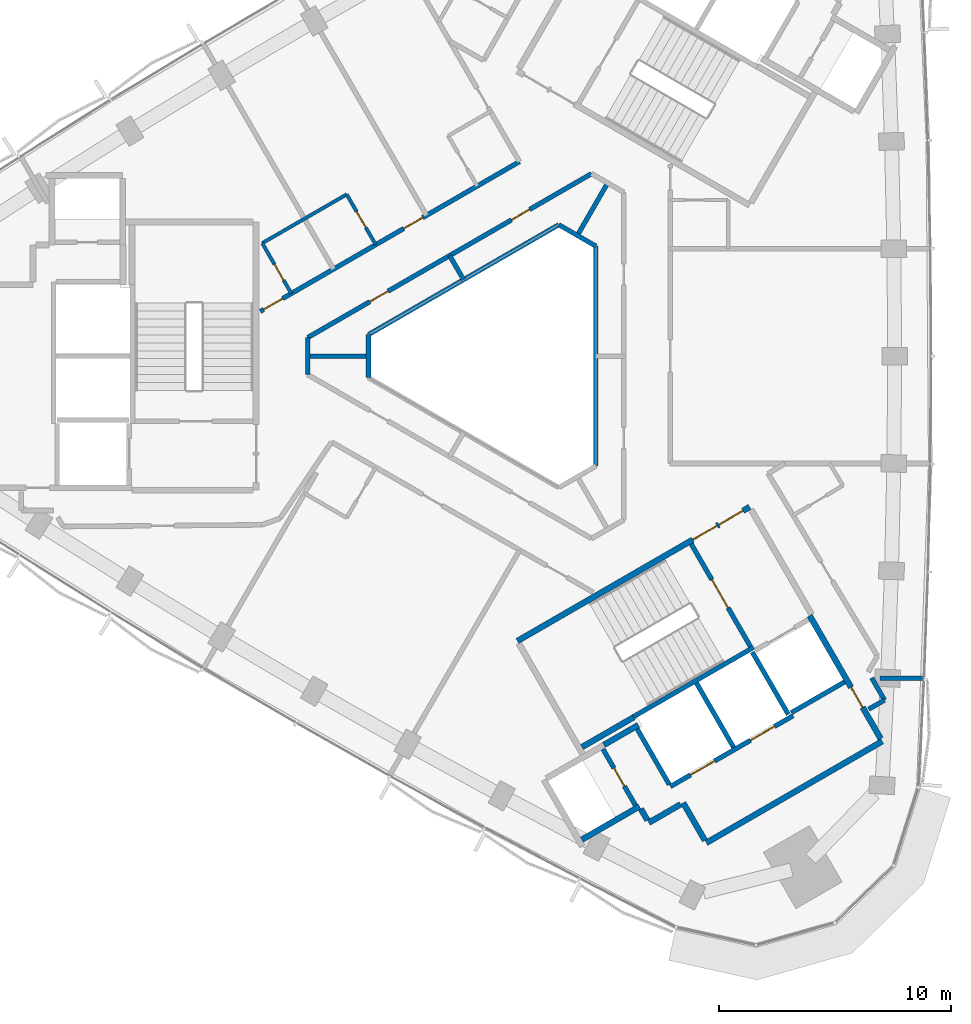
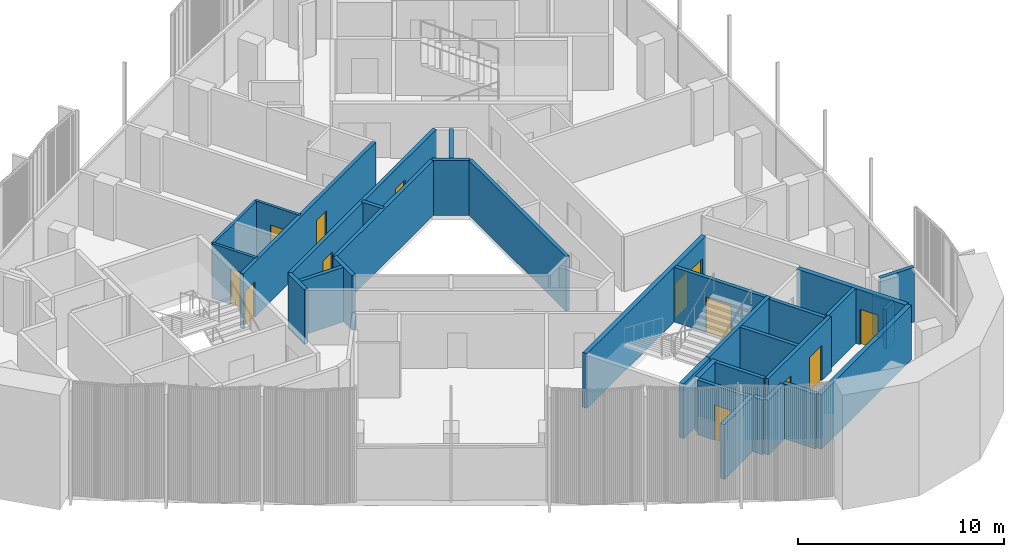
# One storey, part 9 of 14: 33 walls, 13 doors, 13 openings.
"""IFC4 building model written with IfcOpenShell, lengths in metres."""

from ifc_helpers import new_model, si_unit, direction, frame, frame_2d, origin, place, context, subcontext, project, spatial, rectangle, extrude, material, layer, layer_set, type_object, element, fill, save


model = new_model("IFC4")

# Units and contexts
model_context = context("Model", 3, precision=1e-05, world=origin(), true_north=direction((0.0, 1.0)))
body_context = subcontext(model_context, "Body", "Model", "MODEL_VIEW")
ifc_project = project(units=[si_unit("LENGTHUNIT", "METRE"), si_unit("AREAUNIT", "SQUARE_METRE"), si_unit("VOLUMEUNIT", "CUBIC_METRE"), si_unit("PLANEANGLEUNIT", "RADIAN"), si_unit("MASSUNIT", "GRAM", prefix="KILO")], contexts=[model_context])

# Site, building, storey
site_placement = place(None, origin())
site = spatial("IfcSite", under=ifc_project, at=site_placement, CompositionType="ELEMENT")
building_placement = place(site_placement, origin())
building = spatial("IfcBuilding", under=site, at=building_placement, Name="Tamra Quay Hotel Tower", CompositionType="ELEMENT")
storey_placement = place(building_placement, frame((0.0, 0.0, 250.199951171875)))
storey = spatial("IfcBuildingStorey", under=building, at=storey_placement, Name="L63", CompositionType="ELEMENT", Elevation=250.199951171875)

# Wall
ifc_material_1 = material(Name="Concrete M70", Category="concrete")
ifc_layer_1 = layer(ifc_material_1, 0.199951171875)
ifc_layer_set_1 = layer_set([ifc_layer_1], Name="Concrete M70 core wall 200")
wall_type_1 = type_object("IfcWallType", Name="Concrete M70 core wall 200", PredefinedType="SHEAR", material=ifc_layer_set_1)
wall_1_placement = place(storey_placement, frame((5.4189453125, -15.533935546875, 0.0), z_axis=(0.0, 0.0, 1.0), x_axis=(0.866029065029, 0.499993658486, 0.0)))
element("IfcWall", 1, at=wall_1_placement, inside=storey, type_object=wall_type_1, Name="CW2", PredefinedType="SHEAR", context=body_context, shape_type="SweptSolid", body=[
    extrude(rectangle(XDim=5.97412109375, YDim=0.199951171875, at=frame_2d((2.987060546875, 0.0))), origin(), (0.0, 0.0, 1.0), 3.25),
])

# Wall, openings, doors
wall_2_placement = place(storey_placement, frame((7.009765625, -18.54150390625, 0.0), z_axis=(0.0, 0.0, 1.0), x_axis=(0.866030299012, 0.499991521122, 0.0)))
wall_2 = element("IfcWall", 2, at=wall_2_placement, inside=storey, type_object=wall_type_1, Name="CW2", PredefinedType="SHEAR", context=body_context, shape_type="SweptSolid", body=[
    extrude(rectangle(XDim=6.10009765625, YDim=0.199951171875, at=frame_2d((3.050048828125, 0.0))), origin(), (0.0, 0.0, 1.0), 3.25),
])
opening_1_placement = place(wall_2_placement, frame((1.0, 0.0, 0.0)))
opening_1 = element("IfcOpeningElement", 3, at=opening_1_placement, cuts=wall_2, Name="Opening LD", PredefinedType="OPENING", context=body_context, shape_type="SweptSolid", body=[
    extrude(rectangle(XDim=1.199951171875, YDim=2.10009765625, at=frame_2d((0.60009765625, 1.050048828125))), frame((0.0, 0.10986328125, 0.0), z_axis=(0.0, -1.0, 0.0), x_axis=(1.0, 0.0, 0.0)), (0.0, 0.0, 1.0), 0.219970703125),
])
opening_2_placement = place(wall_2_placement, frame((3.982177734375, 0.0, 0.0)))
opening_2 = element("IfcOpeningElement", 4, at=opening_2_placement, cuts=wall_2, Name="Opening LD", PredefinedType="OPENING", context=body_context, shape_type="SweptSolid", body=[
    extrude(rectangle(XDim=1.199951171875, YDim=2.10009765625, at=frame_2d((0.60009765625, 1.050048828125))), frame((0.0, 0.10986328125, 0.0), z_axis=(0.0, -1.0, 0.0), x_axis=(1.0, 0.0, 0.0)), (0.0, 0.0, 1.0), 0.219970703125),
])
ifc_material_2 = material(Name="Landing door LD 1200 double door sliding")
door_type_1 = type_object("IfcDoorType", Name="Landing door LD 1200 double door sliding", OperationType="DOUBLE_DOOR_SLIDING", PredefinedType="DOOR", material=ifc_material_2)
door_1_placement = place(opening_1_placement, origin())
door_1 = element("IfcDoor", 5, at=door_1_placement, inside=storey, type_object=door_type_1, Name="LD", OperationType="DOUBLE_DOOR_SLIDING", OverallHeight=2.10009765625, OverallWidth=1.199951171875, PredefinedType="DOOR", context=body_context, shape_type="SweptSolid", body=[
    extrude(rectangle(XDim=1.199951171875, YDim=2.10009765625, at=frame_2d((0.60009765625, 1.050048828125))), frame((0.0, 0.02490234375, 0.0), z_axis=(0.0, -1.0, 0.0), x_axis=(1.0, 0.0, 0.0)), (0.0, 0.0, 1.0), 0.050048828125),
])
fill(opening_1, door_1)
door_2_placement = place(opening_2_placement, origin())
door_2 = element("IfcDoor", 6, at=door_2_placement, inside=storey, type_object=door_type_1, Name="LD", OperationType="DOUBLE_DOOR_SLIDING", OverallHeight=2.10009765625, OverallWidth=1.199951171875, PredefinedType="DOOR", context=body_context, shape_type="SweptSolid", body=[
    extrude(rectangle(XDim=1.199951171875, YDim=2.10009765625, at=frame_2d((0.60009765625, 1.050048828125))), frame((0.0, 0.02490234375, 0.0), z_axis=(0.0, -1.0, 0.0), x_axis=(1.0, 0.0, 0.0)), (0.0, 0.0, 1.0), 0.050048828125),
])
fill(opening_2, door_2)

# Wall, opening, door
wall_3_placement = place(storey_placement, frame((7.906494140625, -8.094482421875, 0.0), z_axis=(0.0, 0.0, 1.0), x_axis=(0.500027839223, -0.866009330205, 0.0)))
wall_3 = element("IfcWall", 7, at=wall_3_placement, inside=storey, type_object=wall_type_1, Name="CW2", PredefinedType="SHEAR", context=body_context, shape_type="SweptSolid", body=[
    extrude(rectangle(XDim=5.097900390625, YDim=0.199951171875, at=frame_2d((2.548828125, 0.0))), origin(), (0.0, 0.0, 1.0), 3.25),
])
opening_3_placement = place(wall_3_placement, frame((1.77392578125, 0.0, 0.0)))
opening_3 = element("IfcOpeningElement", 8, at=opening_3_placement, cuts=wall_3, Name="Opening FD2", PredefinedType="OPENING", context=body_context, shape_type="SweptSolid", body=[
    extrude(rectangle(XDim=1.39990234375, YDim=2.10009765625, at=frame_2d((0.699951171875, 1.050048828125))), frame((0.0, 0.10986328125, 0.0), z_axis=(0.0, -1.0, 0.0), x_axis=(1.0, 0.0, 0.0)), (0.0, 0.0, 1.0), 0.219970703125),
])
ifc_material_3 = material(Name="Core door FD2 1400x2100 LH")
door_type_2 = type_object("IfcDoorType", Name="Core door FD2 1400x2100 LH", OperationType="NOTDEFINED", PredefinedType="DOOR", material=ifc_material_3)
door_3_placement = place(opening_3_placement, origin())
door_3 = element("IfcDoor", 9, at=door_3_placement, inside=storey, type_object=door_type_2, Name="FD2", OperationType="SINGLE_SWING_LEFT", OverallHeight=2.10009765625, OverallWidth=1.39990234375, PredefinedType="DOOR", context=body_context, shape_type="SweptSolid", body=[
    extrude(rectangle(XDim=1.39990234375, YDim=2.10009765625, at=frame_2d((0.699951171875, 1.050048828125))), frame((0.0, 0.02490234375, 0.0), z_axis=(0.0, -1.0, 0.0), x_axis=(1.0, 0.0, 0.0)), (0.0, 0.0, 1.0), 0.050048828125),
])
fill(opening_3, door_3)

# Wall
wall_4_placement = place(storey_placement, frame((8.131591796875, -14.084228515625, 0.0), z_axis=(0.0, 0.0, 1.0), x_axis=(0.499997778408, -0.866026686418, 0.0)))
element("IfcWall", 10, at=wall_4_placement, inside=storey, type_object=wall_type_1, Name="CW2", PredefinedType="SHEAR", context=body_context, shape_type="SweptSolid", body=[
    extrude(rectangle(XDim=3.1982421875, YDim=0.199951171875, at=frame_2d((1.59912109375, 0.0))), origin(), (0.0, 0.0, 1.0), 3.25),
])

# Wall, opening, door
wall_5_placement = place(storey_placement, frame((5.50341796875, -19.352294921875, 0.0), z_axis=(0.0, 0.0, 1.0), x_axis=(-0.499986818241, 0.866033014143, 0.0)))
wall_5 = element("IfcWall", 11, at=wall_5_placement, inside=storey, type_object=wall_type_1, Name="CW2", PredefinedType="SHEAR", context=body_context, shape_type="SweptSolid", body=[
    extrude(rectangle(XDim=2.7978515625, YDim=0.199951171875, at=frame_2d((1.39892578125, 0.0))), origin(), (0.0, 0.0, 1.0), 3.25),
])
opening_4_placement = place(wall_5_placement, frame((0.948974609375, 0.0, 0.0)))
opening_4 = element("IfcOpeningElement", 12, at=opening_4_placement, cuts=wall_5, Name="Opening D1", PredefinedType="OPENING", context=body_context, shape_type="SweptSolid", body=[
    extrude(rectangle(XDim=0.89990234375, YDim=2.10009765625, at=frame_2d((0.449951171875, 1.050048828125))), frame((0.0, 0.10986328125, 0.0), z_axis=(0.0, -1.0, 0.0), x_axis=(1.0, 0.0, 0.0)), (0.0, 0.0, 1.0), 0.219970703125),
])
ifc_material_4 = material(Name="Core door D1 900x2100 RH")
door_type_3 = type_object("IfcDoorType", Name="Core door D1 900x2100 RH", OperationType="NOTDEFINED", PredefinedType="DOOR", material=ifc_material_4)
door_4_placement = place(opening_4_placement, origin())
door_4 = element("IfcDoor", 13, at=door_4_placement, inside=storey, type_object=door_type_3, Name="D1", OperationType="SINGLE_SWING_RIGHT", OverallHeight=2.10009765625, OverallWidth=0.89990234375, PredefinedType="DOOR", context=body_context, shape_type="SweptSolid", body=[
    extrude(rectangle(XDim=0.89990234375, YDim=2.10009765625, at=frame_2d((0.449951171875, 1.050048828125))), frame((0.0, 0.02490234375, 0.0), z_axis=(0.0, -1.0, 0.0), x_axis=(1.0, 0.0, 0.0)), (0.0, 0.0, 1.0), 0.050048828125),
])
fill(opening_4, door_4)

# Walls
wall_6_placement = place(storey_placement, frame((6.959716796875, -18.455078125, 0.0), z_axis=(0.0, 0.0, 1.0), x_axis=(-0.499926705758, 0.866067716099, 0.0)))
element("IfcWall", 14, at=wall_6_placement, inside=storey, type_object=wall_type_1, Name="CW2", PredefinedType="SHEAR", context=body_context, shape_type="SweptSolid", body=[
    extrude(rectangle(XDim=2.75927734375, YDim=0.199951171875, at=frame_2d((1.379638671875, 0.0))), origin(), (0.0, 0.0, 1.0), 3.25),
])
wall_7_placement = place(storey_placement, frame((12.087646484375, -15.4365234375, 0.0), z_axis=(0.0, 0.0, 1.0), x_axis=(-0.500026960575, 0.86600983753, 0.0)))
element("IfcWall", 15, at=wall_7_placement, inside=storey, type_object=wall_type_1, Name="CW2", PredefinedType="SHEAR", context=body_context, shape_type="SweptSolid", body=[
    extrude(rectangle(XDim=3.099853515625, YDim=0.199951171875, at=frame_2d((1.5498046875, 0.0))), origin(), (0.0, 0.0, 1.0), 3.25),
])
wall_8_placement = place(storey_placement, frame((14.51171875, -14.037109375, 0.0), z_axis=(0.0, 0.0, 1.0), x_axis=(-0.866018407898, -0.500012117035, 0.0)))
element("IfcWall", 16, at=wall_8_placement, inside=storey, type_object=wall_type_1, Name="CW2", PredefinedType="SHEAR", context=body_context, shape_type="SweptSolid", body=[
    extrude(rectangle(XDim=2.65087890625, YDim=0.199951171875, at=frame_2d((1.325439453125, 0.0))), origin(), (0.0, 0.0, 1.0), 3.25),
])

# Wall, openings, doors
ifc_layer_2 = layer(ifc_material_1, 0.25)
ifc_layer_set_2 = layer_set([ifc_layer_2], Name="Concrete M70 core wall 250")
wall_type_2 = type_object("IfcWallType", Name="Concrete M70 core wall 250", PredefinedType="SHEAR", material=ifc_layer_set_2)
wall_9_placement = place(storey_placement, frame((0.417236328125, -12.27294921875, 0.0), z_axis=(0.0, 0.0, 1.0), x_axis=(0.866021906294, 0.500006057782, 0.0)))
wall_9 = element("IfcWall", 17, at=wall_9_placement, inside=storey, type_object=wall_type_2, Name="CW1", PredefinedType="SHEAR", context=body_context, shape_type="SweptSolid", body=[
    extrude(rectangle(XDim=11.550048828125, YDim=0.25, at=frame_2d((5.77490234375, 0.0))), origin(), (0.0, 0.0, 1.0), 3.25),
])
opening_5_placement = place(wall_9_placement, frame((10.024658203125, 0.0, 0.0)))
opening_5 = element("IfcOpeningElement", 18, at=opening_5_placement, cuts=wall_9, Name="Opening FD1", PredefinedType="OPENING", context=body_context, shape_type="SweptSolid", body=[
    extrude(rectangle(XDim=1.199951171875, YDim=2.10009765625, at=frame_2d((0.60009765625, 1.050048828125))), frame((0.0, 0.135009765625, 0.0), z_axis=(0.0, -1.0, 0.0), x_axis=(1.0, 0.0, 0.0)), (0.0, 0.0, 1.0), 0.27001953125),
])
opening_6_placement = place(wall_9_placement, frame((8.724609375, 0.0, 0.0)))
opening_6 = element("IfcOpeningElement", 19, at=opening_6_placement, cuts=wall_9, Name="Opening FD1", PredefinedType="OPENING", context=body_context, shape_type="SweptSolid", body=[
    extrude(rectangle(XDim=1.199951171875, YDim=2.10009765625, at=frame_2d((0.60009765625, 1.050048828125))), frame((0.0, 0.135009765625, 0.0), z_axis=(0.0, -1.0, 0.0), x_axis=(1.0, 0.0, 0.0)), (0.0, 0.0, 1.0), 0.27001953125),
])
ifc_material_5 = material(Name="Core door FD1 1200x2100 LH")
door_type_4 = type_object("IfcDoorType", Name="Core door FD1 1200x2100 LH", OperationType="NOTDEFINED", PredefinedType="DOOR", material=ifc_material_5)
door_5_placement = place(opening_5_placement, origin())
door_5 = element("IfcDoor", 20, at=door_5_placement, inside=storey, type_object=door_type_4, Name="FD1", OperationType="SINGLE_SWING_LEFT", OverallHeight=2.10009765625, OverallWidth=1.199951171875, PredefinedType="DOOR", context=body_context, shape_type="SweptSolid", body=[
    extrude(rectangle(XDim=1.199951171875, YDim=2.10009765625, at=frame_2d((0.60009765625, 1.050048828125))), frame((0.0, 0.02490234375, 0.0), z_axis=(0.0, -1.0, 0.0), x_axis=(1.0, 0.0, 0.0)), (0.0, 0.0, 1.0), 0.050048828125),
])
fill(opening_5, door_5)
ifc_material_6 = material(Name="Core door FD1 1200x2100 RH")
door_type_5 = type_object("IfcDoorType", Name="Core door FD1 1200x2100 RH", OperationType="NOTDEFINED", PredefinedType="DOOR", material=ifc_material_6)
door_6_placement = place(opening_6_placement, origin())
door_6 = element("IfcDoor", 21, at=door_6_placement, inside=storey, type_object=door_type_5, Name="FD1", OperationType="SINGLE_SWING_RIGHT", OverallHeight=2.10009765625, OverallWidth=1.199951171875, PredefinedType="DOOR", context=body_context, shape_type="SweptSolid", body=[
    extrude(rectangle(XDim=1.199951171875, YDim=2.10009765625, at=frame_2d((0.60009765625, 1.050048828125))), frame((0.0, 0.02490234375, 0.0), z_axis=(0.0, -1.0, 0.0), x_axis=(1.0, 0.0, 0.0)), (0.0, 0.0, 1.0), 0.050048828125),
])
fill(opening_6, door_6)

# Wall
wall_10_placement = place(storey_placement, frame((16.13330078125, -16.59375, 0.0), z_axis=(0.0, 0.0, 1.0), x_axis=(-0.866022959057, -0.500004234368, 0.0)))
element("IfcWall", 22, at=wall_10_placement, inside=storey, type_object=wall_type_2, Name="CW1", PredefinedType="SHEAR", context=body_context, shape_type="SweptSolid", body=[
    extrude(rectangle(XDim=8.75, YDim=0.25, at=frame_2d((4.375, 0.0))), origin(), (0.0, 0.0, 1.0), 3.25),
])

# Wall, opening, door
wall_11_placement = place(storey_placement, frame((13.00830078125, -11.18115234375, 0.0), z_axis=(0.0, 0.0, 1.0), x_axis=(0.500001955336, -0.866024274868, 0.0)))
wall_11 = element("IfcWall", 23, at=wall_11_placement, inside=storey, type_object=wall_type_2, Name="CW1", PredefinedType="SHEAR", context=body_context, shape_type="SweptSolid", body=[
    extrude(rectangle(XDim=6.12451171875, YDim=0.25, at=frame_2d((3.062255859375, 0.0))), origin(), (0.0, 0.0, 1.0), 3.25),
])
opening_7_placement = place(wall_11_placement, frame((3.562744140625, 0.0, 0.0)))
opening_7 = element("IfcOpeningElement", 24, at=opening_7_placement, cuts=wall_11, Name="Opening FD3", PredefinedType="OPENING", context=body_context, shape_type="SweptSolid", body=[
    extrude(rectangle(XDim=1.0, YDim=2.10009765625, at=frame_2d((0.5, 1.050048828125))), frame((0.0, 0.135009765625, 0.0), z_axis=(0.0, -1.0, 0.0), x_axis=(1.0, 0.0, 0.0)), (0.0, 0.0, 1.0), 0.27001953125),
])
ifc_material_7 = material(Name="Core door FD3 1000x2100 LH")
door_type_6 = type_object("IfcDoorType", Name="Core door FD3 1000x2100 LH", OperationType="NOTDEFINED", PredefinedType="DOOR", material=ifc_material_7)
door_7_placement = place(opening_7_placement, origin())
door_7 = element("IfcDoor", 25, at=door_7_placement, inside=storey, type_object=door_type_6, Name="FD3", OperationType="SINGLE_SWING_LEFT", OverallHeight=2.10009765625, OverallWidth=1.0, PredefinedType="DOOR", context=body_context, shape_type="SweptSolid", body=[
    extrude(rectangle(XDim=1.0, YDim=2.10009765625, at=frame_2d((0.5, 1.050048828125))), frame((0.0, 0.02490234375, 0.0), z_axis=(0.0, -1.0, 0.0), x_axis=(1.0, 0.0, 0.0)), (0.0, 0.0, 1.0), 0.050048828125),
])
fill(opening_7, door_7)

# Walls
wall_12_placement = place(storey_placement, frame((5.6748046875, -19.39892578125, 0.0), z_axis=(0.0, 0.0, 1.0), x_axis=(-0.866026637627, -0.499997862916, 0.0)))
element("IfcWall", 26, at=wall_12_placement, inside=storey, type_object=wall_type_2, Name="CW1", PredefinedType="SHEAR", context=body_context, shape_type="SweptSolid", body=[
    extrude(rectangle(XDim=2.86474609375, YDim=0.25, at=frame_2d((1.432373046875, 0.0))), origin(), (0.0, 0.0, 1.0), 3.25),
])
wall_13_placement = place(storey_placement, frame((5.4306640625, -15.55615234375, 0.0), z_axis=(0.0, 0.0, 1.0), x_axis=(-0.866022940537, -0.500004266446, 0.0)))
element("IfcWall", 27, at=wall_13_placement, inside=storey, type_object=wall_type_2, Name="CW1", PredefinedType="SHEAR", context=body_context, shape_type="SweptSolid", body=[
    extrude(rectangle(XDim=2.57470703125, YDim=0.25, at=frame_2d((1.287353515625, 0.0))), origin(), (0.0, 0.0, 1.0), 3.25),
])
wall_14_placement = place(storey_placement, frame((8.492919921875, -20.860107421875, 0.0), z_axis=(0.0, 0.0, 1.0), x_axis=(-0.500039802285, 0.866002422705, 0.0)))
element("IfcWall", 28, at=wall_14_placement, inside=storey, type_object=wall_type_2, Name="CW1", PredefinedType="SHEAR", context=body_context, shape_type="SweptSolid", body=[
    extrude(rectangle(XDim=1.864501953125, YDim=0.25, at=frame_2d((0.93212890625, 0.0))), origin(), (0.0, 0.0, 1.0), 3.25),
])
wall_15_placement = place(storey_placement, frame((4.144775390625, -16.748779296875, 0.0), z_axis=(0.0, 0.0, 1.0), x_axis=(0.866038183914, 0.499977863513, 0.0)))
element("IfcWall", 29, at=wall_15_placement, inside=storey, type_object=wall_type_2, Name="CW1", PredefinedType="SHEAR", context=body_context, shape_type="SweptSolid", body=[
    extrude(rectangle(XDim=1.7099609375, YDim=0.25, at=frame_2d((0.85498046875, 0.0))), origin(), (0.0, 0.0, 1.0), 3.25),
])
wall_16_placement = place(storey_placement, frame((7.451904296875, -19.30810546875, 0.0), z_axis=(0.0, 0.0, 1.0), x_axis=(-0.866044474677, -0.49996696679, 0.0)))
element("IfcWall", 30, at=wall_16_placement, inside=storey, type_object=wall_type_2, Name="CW1", PredefinedType="SHEAR", context=body_context, shape_type="SweptSolid", body=[
    extrude(rectangle(XDim=1.58447265625, YDim=0.25, at=frame_2d((0.792236328125, 0.0))), origin(), (0.0, 0.0, 1.0), 3.25),
])
wall_17_placement = place(storey_placement, frame((6.01708984375, -19.99169921875, 0.0), z_axis=(0.0, 0.0, 1.0), x_axis=(-0.500364886717, 0.865814633822, 0.0)))
element("IfcWall", 31, at=wall_17_placement, inside=storey, type_object=wall_type_2, Name="CW1", PredefinedType="SHEAR", context=body_context, shape_type="SweptSolid", body=[
    extrude(rectangle(XDim=0.55908203125, YDim=0.25, at=frame_2d((0.279541015625, 0.0))), origin(), (0.0, 0.0, 1.0), 3.25),
])

# Wall, openings, doors
ifc_material_8 = material(Name="Partition corridor wall")
ifc_layer_3 = layer(ifc_material_8, 0.199951171875)
ifc_layer_set_3 = layer_set([ifc_layer_3], Name="Partition corridor wall")
wall_type_3 = type_object("IfcWallType", Name="Partition corridor wall", PredefinedType="PARTITIONING", material=ifc_layer_set_3)
wall_18_placement = place(storey_placement, frame((-10.65234375, 1.927978515625, 0.0), z_axis=(0.0, 0.0, 1.0), x_axis=(0.865793573301, 0.500401327367, 0.0)))
wall_18 = element("IfcWall", 32, at=wall_18_placement, inside=storey, type_object=wall_type_3, Name="W-C", PredefinedType="PARTITIONING", context=body_context, shape_type="SweptSolid", body=[
    extrude(rectangle(XDim=12.88623046875, YDim=0.199951171875, at=frame_2d((6.443115234375, 0.0))), origin(), (0.0, 0.0, 1.0), 3.25),
])
opening_8_placement = place(wall_18_placement, frame((7.122802734375, 0.0, 0.0)))
opening_8 = element("IfcOpeningElement", 33, at=opening_8_placement, cuts=wall_18, Name="Opening L63-D005", PredefinedType="OPENING", context=body_context, shape_type="SweptSolid", body=[
    extrude(rectangle(XDim=0.949951171875, YDim=2.10009765625, at=frame_2d((0.47509765625, 1.050048828125))), frame((0.0, 0.10986328125, 0.0), z_axis=(0.0, -1.0, 0.0), x_axis=(1.0, 0.0, 0.0)), (0.0, 0.0, 1.0), 0.219970703125),
])
opening_9_placement = place(wall_18_placement, frame((0.159912109375, 0.0, 0.0)))
opening_9 = element("IfcOpeningElement", 34, at=opening_9_placement, cuts=wall_18, Name="Opening L63-D007", PredefinedType="OPENING", context=body_context, shape_type="SweptSolid", body=[
    extrude(rectangle(XDim=0.949951171875, YDim=2.10009765625, at=frame_2d((0.47509765625, 1.050048828125))), frame((0.0, 0.10986328125, 0.0), z_axis=(0.0, -1.0, 0.0), x_axis=(1.0, 0.0, 0.0)), (0.0, 0.0, 1.0), 0.219970703125),
])
ifc_material_9 = material(Name="Door guest room 950x2100")
door_type_7 = type_object("IfcDoorType", Name="Door guest room 950x2100", OperationType="NOTDEFINED", PredefinedType="DOOR", material=ifc_material_9)
door_8_placement = place(opening_8_placement, origin())
door_8 = element("IfcDoor", 35, at=door_8_placement, inside=storey, type_object=door_type_7, Name="L63-D005", OperationType="SINGLE_SWING_LEFT", OverallHeight=2.10009765625, OverallWidth=0.949951171875, PredefinedType="DOOR", context=body_context, shape_type="SweptSolid", body=[
    extrude(rectangle(XDim=0.949951171875, YDim=2.10009765625, at=frame_2d((0.47509765625, 1.050048828125))), frame((0.0, 0.02490234375, 0.0), z_axis=(0.0, -1.0, 0.0), x_axis=(1.0, 0.0, 0.0)), (0.0, 0.0, 1.0), 0.050048828125),
])
fill(opening_8, door_8)
door_9_placement = place(opening_9_placement, origin())
door_9 = element("IfcDoor", 36, at=door_9_placement, inside=storey, type_object=door_type_7, Name="L63-D007", OperationType="SINGLE_SWING_LEFT", OverallHeight=2.10009765625, OverallWidth=0.949951171875, PredefinedType="DOOR", context=body_context, shape_type="SweptSolid", body=[
    extrude(rectangle(XDim=0.949951171875, YDim=2.10009765625, at=frame_2d((0.47509765625, 1.050048828125))), frame((0.0, 0.02490234375, 0.0), z_axis=(0.0, -1.0, 0.0), x_axis=(1.0, 0.0, 0.0)), (0.0, 0.0, 1.0), 0.050048828125),
])
fill(opening_9, door_9)

# Wall
wall_19_placement = place(storey_placement, frame((-8.612060546875, -0.801025390625, 0.0), z_axis=(0.0, 0.0, 1.0), x_axis=(0.0, 1.0, 0.0)))
element("IfcWall", 37, at=wall_19_placement, inside=storey, type_object=wall_type_3, Name="W-C", PredefinedType="PARTITIONING", context=body_context, shape_type="SweptSolid", body=[
    extrude(rectangle(XDim=1.60205078125, YDim=0.199951171875, at=frame_2d((0.801025390625, 0.0))), origin(), (0.0, 0.0, 1.0), 3.25),
])

# Wall, openings, doors
wall_20_placement = place(storey_placement, frame((-8.61181640625, 0.80078125, 0.0), z_axis=(0.0, 0.0, 1.0), x_axis=(0.866005560651, 0.500034367741, 0.0)))
wall_20 = element("IfcWall", 38, at=wall_20_placement, inside=storey, type_object=wall_type_3, Name="W-C", PredefinedType="PARTITIONING", context=body_context, shape_type="SweptSolid", body=[
    extrude(rectangle(XDim=14.115234375, YDim=0.199951171875, at=frame_2d((7.0576171875, 0.0))), origin(), (0.0, 0.0, 1.0), 3.25),
])
opening_10_placement = place(wall_20_placement, frame((10.130615234375, 0.0, 0.0)))
opening_10 = element("IfcOpeningElement", 39, at=opening_10_placement, cuts=wall_20, Name="Opening L63-D020", PredefinedType="OPENING", context=body_context, shape_type="SweptSolid", body=[
    extrude(rectangle(XDim=0.89990234375, YDim=2.10009765625, at=frame_2d((0.449951171875, 1.050048828125))), frame((0.0, 0.10986328125, 0.0), z_axis=(0.0, -1.0, 0.0), x_axis=(1.0, 0.0, 0.0)), (0.0, 0.0, 1.0), 0.219970703125),
])
opening_11_placement = place(wall_20_placement, frame((3.084716796875, 0.0, 0.0)))
opening_11 = element("IfcOpeningElement", 40, at=opening_11_placement, cuts=wall_20, Name="Opening L63-D021", PredefinedType="OPENING", context=body_context, shape_type="SweptSolid", body=[
    extrude(rectangle(XDim=0.89990234375, YDim=2.10009765625, at=frame_2d((0.449951171875, 1.050048828125))), frame((0.0, 0.10986328125, 0.0), z_axis=(0.0, -1.0, 0.0), x_axis=(1.0, 0.0, 0.0)), (0.0, 0.0, 1.0), 0.219970703125),
])
ifc_material_10 = material(Name="Door service room 900x2100")
door_type_8 = type_object("IfcDoorType", Name="Door service room 900x2100", OperationType="NOTDEFINED", PredefinedType="DOOR", material=ifc_material_10)
door_10_placement = place(opening_10_placement, frame((0.89990234375, 0.0, 0.0), z_axis=(0.0, 0.0, 1.0), x_axis=(-1.0, 0.0, 0.0)))
door_10 = element("IfcDoor", 41, at=door_10_placement, inside=storey, type_object=door_type_8, Name="L63-D020", OperationType="SINGLE_SWING_LEFT", OverallHeight=2.10009765625, OverallWidth=0.89990234375, PredefinedType="DOOR", context=body_context, shape_type="SweptSolid", body=[
    extrude(rectangle(XDim=0.89990234375, YDim=2.10009765625, at=frame_2d((0.449951171875, 1.050048828125))), frame((0.0, 0.02490234375, 0.0), z_axis=(0.0, -1.0, 0.0), x_axis=(1.0, 0.0, 0.0)), (0.0, 0.0, 1.0), 0.050048828125),
])
fill(opening_10, door_10)
door_11_placement = place(opening_11_placement, frame((0.89990234375, 0.0, 0.0), z_axis=(0.0, 0.0, 1.0), x_axis=(-1.0, 0.0, 0.0)))
door_11 = element("IfcDoor", 42, at=door_11_placement, inside=storey, type_object=door_type_8, Name="L63-D021", OperationType="SINGLE_SWING_LEFT", OverallHeight=2.10009765625, OverallWidth=0.89990234375, PredefinedType="DOOR", context=body_context, shape_type="SweptSolid", body=[
    extrude(rectangle(XDim=0.89990234375, YDim=2.10009765625, at=frame_2d((0.449951171875, 1.050048828125))), frame((0.0, 0.02490234375, 0.0), z_axis=(0.0, -1.0, 0.0), x_axis=(1.0, 0.0, 0.0)), (0.0, 0.0, 1.0), 0.050048828125),
])
fill(opening_11, door_11)

# Walls
wall_21_placement = place(storey_placement, frame((15.5498046875, -15.213134765625, 0.0), z_axis=(0.0, 0.0, 1.0), x_axis=(0.865989998118, 0.500061319399, 0.0)))
element("IfcWall", 43, at=wall_21_placement, inside=storey, type_object=wall_type_3, Name="W-C", PredefinedType="PARTITIONING", context=body_context, shape_type="SweptSolid", body=[
    extrude(rectangle(XDim=0.7900390625, YDim=0.199951171875, at=frame_2d((0.39501953125, 0.0))), origin(), (0.0, 0.0, 1.0), 2.35009765625),
])
wall_22_placement = place(storey_placement, frame((15.680908203125, -13.862060546875, 0.0), z_axis=(0.0, 0.0, 1.0), x_axis=(0.500678970179, -0.86563304513, 0.0)))
element("IfcWall", 44, at=wall_22_placement, inside=storey, type_object=wall_type_3, Name="W-C", PredefinedType="PARTITIONING", context=body_context, shape_type="SweptSolid", body=[
    extrude(rectangle(XDim=1.1044921875, YDim=0.199951171875, at=frame_2d((0.55224609375, 0.0))), origin(), (0.0, 0.0, 1.0), 2.35009765625),
])
ifc_material_11 = material(Name="Partition en-suite wall")
ifc_layer_4 = layer(ifc_material_11, 0.14990234375)
ifc_layer_set_4 = layer_set([ifc_layer_4], Name="Partition en-suite wall")
wall_type_4 = type_object("IfcWallType", Name="Partition en-suite wall", PredefinedType="PARTITIONING", material=ifc_layer_set_4)
wall_23_placement = place(storey_placement, frame((-10.574462890625, 4.865966796875, 0.0), z_axis=(0.0, 0.0, 1.0), x_axis=(0.866052994476, 0.499952208475, 0.0)))
element("IfcWall", 45, at=wall_23_placement, inside=storey, type_object=wall_type_4, Name="W-E", PredefinedType="PARTITIONING", context=body_context, shape_type="SweptSolid", body=[
    extrude(rectangle(XDim=4.20068359375, YDim=0.14990234375, at=frame_2d((2.100341796875, 0.0))), origin(), (0.0, 0.0, 1.0), 3.25),
])

# Wall, opening, door
wall_24_placement = place(storey_placement, frame((-10.573974609375, 4.864990234375, 0.0), z_axis=(0.0, 0.0, 1.0), x_axis=(0.500004234368, -0.866022959057, 0.0)))
wall_24 = element("IfcWall", 46, at=wall_24_placement, inside=storey, type_object=wall_type_4, Name="W-E", PredefinedType="PARTITIONING", context=body_context, shape_type="SweptSolid", body=[
    extrude(rectangle(XDim=2.5, YDim=0.14990234375, at=frame_2d((1.25, 0.0))), origin(), (0.0, 0.0, 1.0), 3.25),
])
opening_12_placement = place(wall_24_placement, frame((1.04541015625, 0.0, 0.0)))
opening_12 = element("IfcOpeningElement", 47, at=opening_12_placement, cuts=wall_24, Name="Opening L63-D008", PredefinedType="OPENING", context=body_context, shape_type="SweptSolid", body=[
    extrude(rectangle(XDim=0.800048828125, YDim=2.10009765625, at=frame_2d((0.39990234375, 1.050048828125))), frame((0.0, 0.0849609375, 0.0), z_axis=(0.0, -1.0, 0.0), x_axis=(1.0, 0.0, 0.0)), (0.0, 0.0, 1.0), 0.169921875),
])
ifc_material_12 = material(Name="Door en-suite 800x2100")
door_type_9 = type_object("IfcDoorType", Name="Door en-suite 800x2100", OperationType="NOTDEFINED", PredefinedType="DOOR", material=ifc_material_12)
door_12_placement = place(opening_12_placement, frame((0.800048828125, 0.0, 0.0), z_axis=(0.0, 0.0, 1.0), x_axis=(-1.0, 0.0, 0.0)))
door_12 = element("IfcDoor", 48, at=door_12_placement, inside=storey, type_object=door_type_9, Name="L63-D008", OperationType="SINGLE_SWING_LEFT", OverallHeight=2.10009765625, OverallWidth=0.800048828125, PredefinedType="DOOR", context=body_context, shape_type="SweptSolid", body=[
    extrude(rectangle(XDim=0.800048828125, YDim=2.10009765625, at=frame_2d((0.39990234375, 1.050048828125))), frame((0.0, 0.02490234375, 0.0), z_axis=(0.0, -1.0, 0.0), x_axis=(1.0, 0.0, 0.0)), (0.0, 0.0, 1.0), 0.050048828125),
])
fill(opening_12, door_12)

wall_25_placement = place(storey_placement, frame((-6.93603515625, 6.965087890625, 0.0), z_axis=(0.0, 0.0, 1.0), x_axis=(0.500004234368, -0.866022959057, 0.0)))
wall_25 = element("IfcWall", 49, at=wall_25_placement, inside=storey, type_object=wall_type_4, Name="W-E", PredefinedType="PARTITIONING", context=body_context, shape_type="SweptSolid", body=[
    extrude(rectangle(XDim=2.5, YDim=0.14990234375, at=frame_2d((1.25, 0.0))), origin(), (0.0, 0.0, 1.0), 3.25),
])
opening_13_placement = place(wall_25_placement, frame((0.849853515625, 0.0, 0.0)))
opening_13 = element("IfcOpeningElement", 50, at=opening_13_placement, cuts=wall_25, Name="Opening L63-D006", PredefinedType="OPENING", context=body_context, shape_type="SweptSolid", body=[
    extrude(rectangle(XDim=0.800048828125, YDim=2.10009765625, at=frame_2d((0.39990234375, 1.050048828125))), frame((0.0, 0.0849609375, 0.0), z_axis=(0.0, -1.0, 0.0), x_axis=(1.0, 0.0, 0.0)), (0.0, 0.0, 1.0), 0.169921875),
])
door_13_placement = place(opening_13_placement, origin())
door_13 = element("IfcDoor", 51, at=door_13_placement, inside=storey, type_object=door_type_9, Name="L63-D006", OperationType="SINGLE_SWING_LEFT", OverallHeight=2.10009765625, OverallWidth=0.800048828125, PredefinedType="DOOR", context=body_context, shape_type="SweptSolid", body=[
    extrude(rectangle(XDim=0.800048828125, YDim=2.10009765625, at=frame_2d((0.39990234375, 1.050048828125))), frame((0.0, 0.02490234375, 0.0), z_axis=(0.0, -1.0, 0.0), x_axis=(1.0, 0.0, 0.0)), (0.0, 0.0, 1.0), 0.050048828125),
])
fill(opening_13, door_13)

# Walls
ifc_material_13 = material(Name="Partition party wall")
ifc_layer_5 = layer(ifc_material_13, 0.199951171875)
ifc_layer_set_5 = layer_set([ifc_layer_5], Name="Partition party wall")
wall_type_5 = type_object("IfcWallType", Name="Partition party wall", PredefinedType="PARTITIONING", material=ifc_layer_set_5)
wall_26_placement = place(storey_placement, frame((-8.60693359375, 0.0, 0.0), z_axis=(0.0, 0.0, 1.0), x_axis=(1.0, 0.0, 0.0)))
element("IfcWall", 52, at=wall_26_placement, inside=storey, type_object=wall_type_5, Name="W-P", PredefinedType="PARTITIONING", context=body_context, shape_type="SweptSolid", body=[
    extrude(rectangle(XDim=2.60693359375, YDim=0.199951171875, at=frame_2d((1.303466796875, 0.0))), origin(), (0.0, 0.0, 1.0), 3.25),
])
wall_27_placement = place(storey_placement, frame((-6.0, -0.924072265625, 0.0), z_axis=(0.0, 0.0, 1.0), x_axis=(0.0, 1.0, 0.0)))
element("IfcWall", 53, at=wall_27_placement, inside=storey, type_object=wall_type_5, Name="W-P", PredefinedType="PARTITIONING", context=body_context, shape_type="SweptSolid", body=[
    extrude(rectangle(XDim=1.84814453125, YDim=0.199951171875, at=frame_2d((0.924072265625, 0.0))), origin(), (0.0, 0.0, 1.0), 3.25),
])
wall_28_placement = place(storey_placement, frame((-5.999755859375, 0.923583984375, 0.0), z_axis=(0.0, 0.0, 1.0), x_axis=(0.866012967051, 0.500021540435, 0.0)))
element("IfcWall", 54, at=wall_28_placement, inside=storey, type_object=wall_type_5, Name="W-P", PredefinedType="PARTITIONING", context=body_context, shape_type="SweptSolid", body=[
    extrude(rectangle(XDim=9.46826171875, YDim=0.199951171875, at=frame_2d((4.734130859375, 0.0))), origin(), (0.0, 0.0, 1.0), 3.25),
])
wall_29_placement = place(storey_placement, frame((-2.5, 4.330078125, 0.0), z_axis=(0.0, 0.0, 1.0), x_axis=(0.499969057507, -0.866043267704, 0.0)))
element("IfcWall", 55, at=wall_29_placement, inside=storey, type_object=wall_type_5, Name="W-P", PredefinedType="PARTITIONING", context=body_context, shape_type="SweptSolid", body=[
    extrude(rectangle(XDim=1.19970703125, YDim=0.199951171875, at=frame_2d((0.599853515625, 0.0))), origin(), (0.0, 0.0, 1.0), 3.25),
])
wall_30_placement = place(storey_placement, frame((2.2001953125, 5.658447265625, 0.0), z_axis=(0.0, 0.0, 1.0), x_axis=(0.865818011038, -0.500359042851, 0.0)))
element("IfcWall", 56, at=wall_30_placement, inside=storey, type_object=wall_type_5, Name="W-P", PredefinedType="PARTITIONING", context=body_context, shape_type="SweptSolid", body=[
    extrude(rectangle(XDim=1.847900390625, YDim=0.199951171875, at=frame_2d((0.923828125, 0.0))), origin(), (0.0, 0.0, 1.0), 3.25),
])
wall_31_placement = place(storey_placement, frame((3.0, 5.196044921875, 0.0), z_axis=(0.0, 0.0, 1.0), x_axis=(0.500076354988, 0.865981315724, 0.0)))
element("IfcWall", 57, at=wall_31_placement, inside=storey, type_object=wall_type_5, Name="W-P", PredefinedType="PARTITIONING", context=body_context, shape_type="SweptSolid", body=[
    extrude(rectangle(XDim=2.607421875, YDim=0.199951171875, at=frame_2d((1.3037109375, 0.0))), origin(), (0.0, 0.0, 1.0), 3.25),
])
wall_32_placement = place(storey_placement, frame((3.800048828125, -4.73388671875, 0.0), z_axis=(0.0, 0.0, 1.0), x_axis=(0.0, 1.0, 0.0)))
element("IfcWall", 58, at=wall_32_placement, inside=storey, type_object=wall_type_5, Name="W-P", PredefinedType="PARTITIONING", context=body_context, shape_type="SweptSolid", body=[
    extrude(rectangle(XDim=9.4677734375, YDim=0.199951171875, at=frame_2d((4.73388671875, 0.0))), origin(), (0.0, 0.0, 1.0), 3.25),
])
wall_33_placement = place(storey_placement, frame((17.933349609375, -13.8720703125, 0.0), z_axis=(0.0, 0.0, 1.0), x_axis=(-1.0, 0.0, 0.0)))
element("IfcWall", 59, at=wall_33_placement, inside=storey, type_object=wall_type_5, Name="W-P", PredefinedType="PARTITIONING", context=body_context, shape_type="SweptSolid", body=[
    extrude(rectangle(XDim=1.899169921875, YDim=0.199951171875, at=frame_2d((0.94970703125, 0.0))), origin(), (0.0, 0.0, 1.0), 3.25),
])

save(model, "model.ifc")
